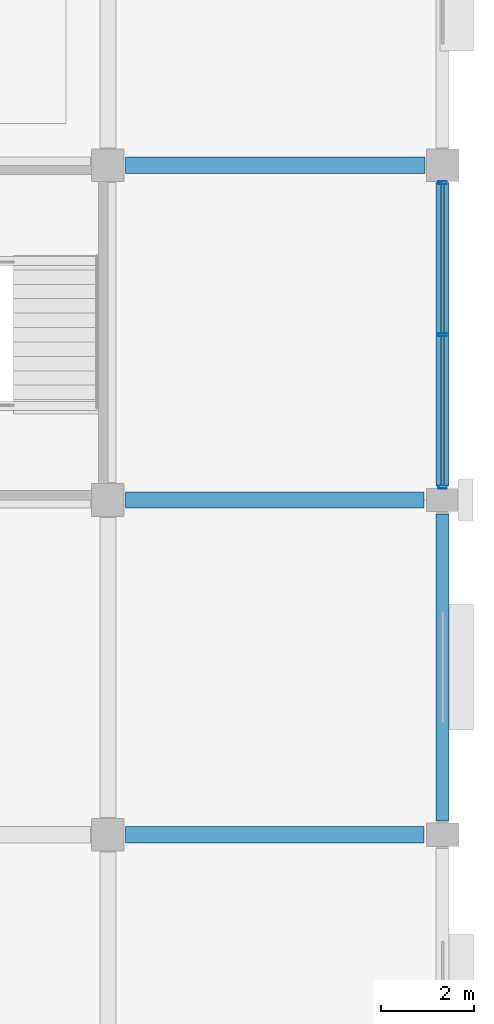
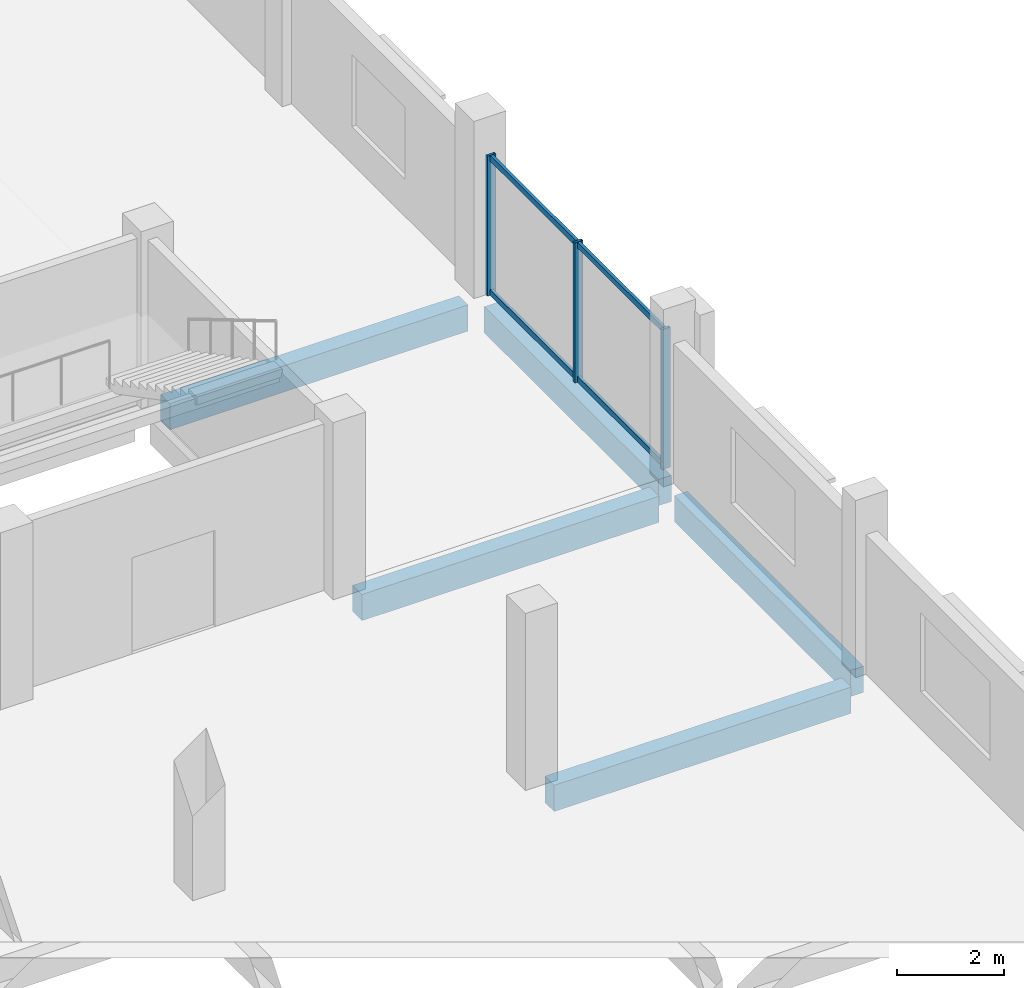
# One storey, part 59 of 91: 7 members, 5 beams, 1 element without a shape of its own.
"""IFC4 building model written with IfcOpenShell, lengths in metres."""

from ifc_helpers import new_model, si_unit, direction, frame, origin, origin_2d, place, context, subcontext, project, spatial, rectangle, hollow_rectangle, extrude, material, layer, layer_set, material_profile, profile_set, type_object, element, aggregate, save


model = new_model("IFC4")

# Units and contexts
model_context = context("Model", 3, precision=1e-05, world=origin(), true_north=direction((0.0, 1.0)))
body_context = subcontext(model_context, "Body", "Model", "MODEL_VIEW")
ifc_project = project(units=[si_unit("LENGTHUNIT", "METRE"), si_unit("AREAUNIT", "SQUARE_METRE"), si_unit("VOLUMEUNIT", "CUBIC_METRE"), si_unit("PLANEANGLEUNIT", "RADIAN"), si_unit("MASSUNIT", "GRAM", prefix="KILO")], contexts=[model_context])

# Site, building, storey
site_placement = place(None, origin())
site = spatial("IfcSite", under=ifc_project, at=site_placement, CompositionType="ELEMENT")
building_placement = place(site_placement, origin())
building = spatial("IfcBuilding", under=site, at=building_placement, Name="Kangsadwip Square Police Headquarters", CompositionType="ELEMENT")
storey_placement = place(building_placement, frame((0.0, 0.0, 13.5)))
storey = spatial("IfcBuildingStorey", under=building, at=storey_placement, Name="L03", CompositionType="ELEMENT", Elevation=13.5)

# Curtain wall, members
ifc_material_1 = material(Name="Thermally broken anodised aluminium AW-6063-T6", Category="aluminium")
ifc_layer = layer(ifc_material_1, 0.159912109375)
ifc_layer_set = layer_set([ifc_layer], Name="Thermally broken anodised aluminium AW-6063-T6")
curtain_wall_type = type_object("IfcCurtainWallType", Name="UnitisedCw6610x3200", PredefinedType="NOTDEFINED", material=ifc_layer_set)
curtain_wall_placement = place(storey_placement, origin())
curtain_wall = element("IfcCurtainWall", 1, at=curtain_wall_placement, inside=storey, type_object=curtain_wall_type, Name="Curtain Wall CW-L03-1656-0938", PredefinedType="NOTDEFINED")
ifc_material_2 = material(Name="Thermally broken anodised aluminium AW-6063-T6", Category="aluminium")
ifc_material_profile_1 = material_profile(ifc_material_2, hollow_rectangle(XDim=0.06494140625, YDim=0.179931640625, WallThickness=0.00390625, at=origin_2d()), Name="CWM 180X65X4")
ifc_profile_set_1 = profile_set([ifc_material_profile_1], Name="Thermally broken anodised aluminium AW-6063-T6")
member_type_1 = type_object("IfcMemberType", Name="CwMullion160x65", PredefinedType="MULLION", material=ifc_profile_set_1)
member_1_placement = place(storey_placement, frame((165.60009765625, 93.87744140625, 0.0), z_axis=(0.0, 0.0, 1.0), x_axis=(0.0, 1.0, 0.0)))
member_1 = element("IfcMember", 2, at=member_1_placement, type_object=member_type_1, Name="CW-28 mullion 1", PredefinedType="MULLION", context=body_context, shape_type="SweptSolid", body=[
    extrude(hollow_rectangle(XDim=0.06494140625, YDim=0.179931640625, WallThickness=0.00390625, at=origin_2d()), origin(), (0.0, 0.0, 1.0), 3.199951171875),
])
member_2_placement = place(storey_placement, frame((165.60009765625, 97.14990234375, 0.0), z_axis=(0.0, 0.0, 1.0), x_axis=(0.0, 1.0, 0.0)))
member_2 = element("IfcMember", 3, at=member_2_placement, type_object=member_type_1, Name="CW-28 mullion 2", PredefinedType="MULLION", context=body_context, shape_type="SweptSolid", body=[
    extrude(hollow_rectangle(XDim=0.06494140625, YDim=0.179931640625, WallThickness=0.00390625, at=origin_2d()), origin(), (0.0, 0.0, 1.0), 3.199951171875),
])
member_3_placement = place(storey_placement, frame((165.60009765625, 100.422607421875, 0.0), z_axis=(0.0, 0.0, 1.0), x_axis=(0.0, 1.0, 0.0)))
member_3 = element("IfcMember", 4, at=member_3_placement, type_object=member_type_1, Name="CW-28 mullion 3", PredefinedType="MULLION", context=body_context, shape_type="SweptSolid", body=[
    extrude(hollow_rectangle(XDim=0.06494140625, YDim=0.179931640625, WallThickness=0.00390625, at=origin_2d()), origin(), (0.0, 0.0, 1.0), 3.199951171875),
])
ifc_material_3 = material(Name="Thermally broken anodised aluminium AW-6063-T6", Category="aluminium")
ifc_material_profile_2 = material_profile(ifc_material_3, hollow_rectangle(XDim=0.06494140625, YDim=0.1298828125, WallThickness=0.00390625, at=origin_2d()), Name="CWT 130X65X4")
ifc_profile_set_2 = profile_set([ifc_material_profile_2], Name="Thermally broken anodised aluminium AW-6063-T6")
member_type_2 = type_object("IfcMemberType", Name="CwTransom140x60", PredefinedType="USERDEFINED", material=ifc_profile_set_2)
member_4_placement = place(storey_placement, frame((165.60009765625, 93.909912109375, 0.06494140625), z_axis=(0.0, 1.0, 0.0), x_axis=(-1.0, 0.0, 0.0)))
member_4 = element("IfcMember", 5, at=member_4_placement, type_object=member_type_2, Name="CW-28 transom 1.1", ObjectType="TRANSOM", PredefinedType="USERDEFINED", context=body_context, shape_type="SweptSolid", body=[
    extrude(hollow_rectangle(XDim=0.06494140625, YDim=0.1298828125, WallThickness=0.00390625, at=origin_2d()), origin(), (0.0, 0.0, 1.0), 3.20751953125),
])
member_5_placement = place(storey_placement, frame((165.60009765625, 93.909912109375, 3.135009765625), z_axis=(0.0, 1.0, 0.0), x_axis=(-1.0, 0.0, 0.0)))
member_5 = element("IfcMember", 6, at=member_5_placement, type_object=member_type_2, Name="CW-28 transom 1.2", ObjectType="TRANSOM", PredefinedType="USERDEFINED", context=body_context, shape_type="SweptSolid", body=[
    extrude(hollow_rectangle(XDim=0.06494140625, YDim=0.1298828125, WallThickness=0.00390625, at=origin_2d()), origin(), (0.0, 0.0, 1.0), 3.20751953125),
])
member_6_placement = place(storey_placement, frame((165.60009765625, 97.1826171875, 0.06494140625), z_axis=(0.0, 1.0, 0.0), x_axis=(-1.0, 0.0, 0.0)))
member_6 = element("IfcMember", 7, at=member_6_placement, type_object=member_type_2, Name="CW-28 transom 2.1", ObjectType="TRANSOM", PredefinedType="USERDEFINED", context=body_context, shape_type="SweptSolid", body=[
    extrude(hollow_rectangle(XDim=0.06494140625, YDim=0.1298828125, WallThickness=0.00390625, at=origin_2d()), origin(), (0.0, 0.0, 1.0), 3.207275390625),
])
member_7_placement = place(storey_placement, frame((165.60009765625, 97.1826171875, 3.135009765625), z_axis=(0.0, 1.0, 0.0), x_axis=(-1.0, 0.0, 0.0)))
member_7 = element("IfcMember", 8, at=member_7_placement, type_object=member_type_2, Name="CW-28 transom 2.2", ObjectType="TRANSOM", PredefinedType="USERDEFINED", context=body_context, shape_type="SweptSolid", body=[
    extrude(hollow_rectangle(XDim=0.06494140625, YDim=0.1298828125, WallThickness=0.00390625, at=origin_2d()), origin(), (0.0, 0.0, 1.0), 3.207275390625),
])
aggregate(curtain_wall, [member_1, member_2, member_3, member_4, member_5, member_6, member_7])

# Beams
ifc_material_4 = material(Name="Concrete M35 (35 MPa)", Category="concrete")
ifc_material_profile_3 = material_profile(ifc_material_4, rectangle(XDim=0.35009765625, YDim=0.60009765625, at=origin_2d()), Name="RC BM 600X350")
ifc_profile_set_3 = profile_set([ifc_material_profile_3], Name="Concrete M35 (35 MPa)")
beam_type_1 = type_object("IfcBeamType", Name="RcBeam600x350", PredefinedType="BEAM", material=ifc_profile_set_3)
for number, where, z_axis, x_axis, name in (
    (9, (158.77490234375, 86.39990234375, -0.5400390625), (1.0, 0.0, 0.0), (0.0, 1.0, 0.0), "Beam BM-L03-X-22-12"),
    (10, (158.77490234375, 93.60009765625, -0.5400390625), (1.0, 0.0, 0.0), (0.0, 1.0, 0.0), "Beam BM-L03-X-22-13"),
):
    element("IfcBeam", number, at=place(storey_placement, frame(where, z_axis=z_axis, x_axis=x_axis)), inside=storey, type_object=beam_type_1, Name=name, PredefinedType="BEAM", context=body_context, shape_type="SweptSolid", body=[
        extrude(rectangle(XDim=0.35009765625, YDim=0.60009765625, at=origin_2d()), origin(), (0.0, 0.0, 1.0), 6.425048828125),
    ])
beam_1_placement = place(storey_placement, frame((158.77490234375, 100.800048828125, -0.5400390625), z_axis=(1.0, 0.0, 0.0), x_axis=(0.0, 1.0, 0.0)))
element("IfcBeam", 11, at=beam_1_placement, inside=storey, type_object=beam_type_1, Name="Beam BM-L03-X-22-14", PredefinedType="BEAM", context=body_context, shape_type="SweptSolid", body=[
    extrude(rectangle(XDim=0.35009765625, YDim=0.60009765625, at=origin_2d()), origin(), (0.0, 0.0, 1.0), 6.4501953125),
])
ifc_material_5 = material(Name="Concrete M40 (40 MPa)", Category="concrete")
ifc_material_profile_4 = material_profile(ifc_material_5, rectangle(XDim=0.280029296875, YDim=0.60009765625, at=origin_2d()), Name="RC SPN 600X280")
ifc_profile_set_4 = profile_set([ifc_material_profile_4], Name="Concrete M40 (40 MPa)")
beam_type_2 = type_object("IfcBeamType", Name="RcSpandrel600x280", PredefinedType="SPANDREL", material=ifc_profile_set_4)
beam_2_placement = place(storey_placement, frame((165.60009765625, 86.699951171875, -0.5400390625), z_axis=(0.0, 1.0, 0.0), x_axis=(-1.0, 0.0, 0.0)))
element("IfcBeam", 12, at=beam_2_placement, inside=storey, type_object=beam_type_2, Name="Beam BM-L03-Y-23-12", PredefinedType="SPANDREL", context=body_context, shape_type="SweptSolid", body=[
    extrude(rectangle(XDim=0.280029296875, YDim=0.60009765625, at=origin_2d()), origin(), (0.0, 0.0, 1.0), 6.60009765625),
])
beam_3_placement = place(storey_placement, frame((165.60009765625, 93.89990234375, -0.5400390625), z_axis=(0.0, 1.0, 0.0), x_axis=(-1.0, 0.0, 0.0)))
element("IfcBeam", 13, at=beam_3_placement, inside=storey, type_object=beam_type_2, Name="Beam BM-L03-Y-23-13", PredefinedType="SPANDREL", context=body_context, shape_type="SweptSolid", body=[
    extrude(rectangle(XDim=0.280029296875, YDim=0.60009765625, at=origin_2d()), origin(), (0.0, 0.0, 1.0), 6.525146484375),
])

save(model, "model.ifc")
